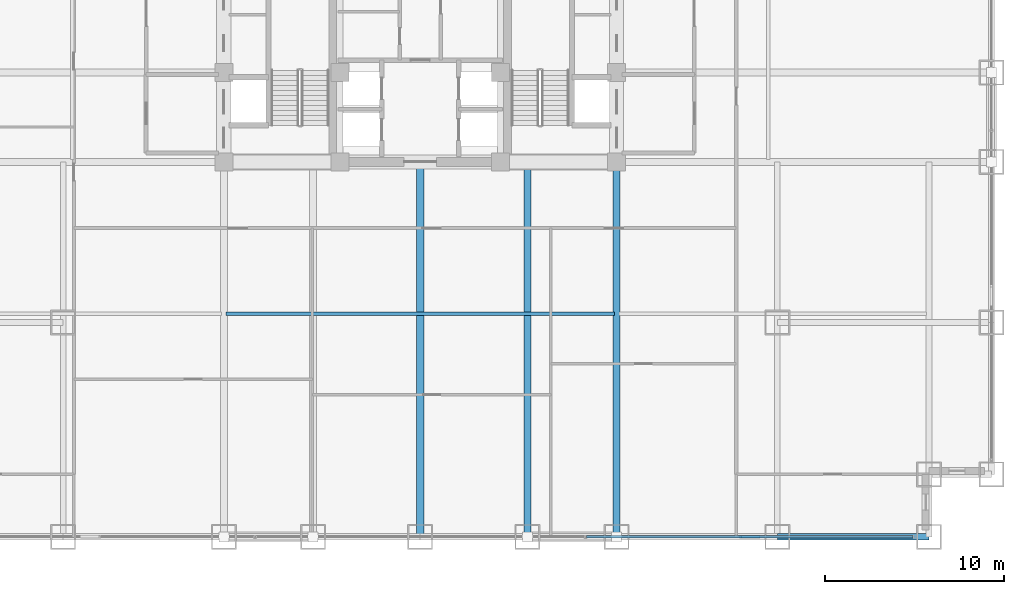
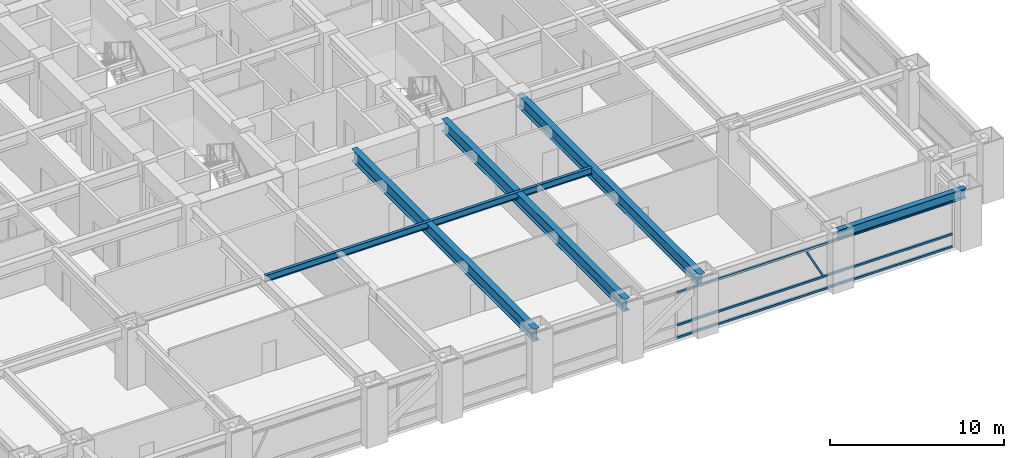
# One storey, part 9 of 28: 5 beams, 4 members, 1 element without a shape of its own.
"""IFC4 building model written with IfcOpenShell, lengths in metres."""

from ifc_helpers import new_model, si_unit, direction, frame, origin, origin_2d, place, context, subcontext, project, spatial, hollow_rectangle, i_section, extrude, source, transform, mapped, material, material_profile, profile_set, type_object, element, aggregate, save


model = new_model("IFC4")

# Units and contexts
model_context = context("Model", 3, precision=1e-05, world=origin(), true_north=direction((0.0, 1.0)))
body_context = subcontext(model_context, "Body", "Model", "MODEL_VIEW")
ifc_project = project(units=[si_unit("LENGTHUNIT", "METRE"), si_unit("AREAUNIT", "SQUARE_METRE"), si_unit("VOLUMEUNIT", "CUBIC_METRE"), si_unit("PLANEANGLEUNIT", "RADIAN"), si_unit("MASSUNIT", "GRAM", prefix="KILO")], contexts=[model_context])

# Site, building, storey
site_placement = place(None, origin())
site = spatial("IfcSite", under=ifc_project, at=site_placement, CompositionType="ELEMENT")
building_placement = place(site_placement, origin())
building = spatial("IfcBuilding", under=site, at=building_placement, Name="Khorayat Bourse Tower", CompositionType="ELEMENT")
storey_placement = place(building_placement, frame((0.0, 0.0, 66.199951171875)))
storey = spatial("IfcBuildingStorey", under=building, at=storey_placement, Name="L14", CompositionType="ELEMENT", Elevation=66.199951171875)

# Beams
ifc_material_1 = material(Name="Steel ASTM A992 Grade 50", Category="steel")
ifc_material_profile_1 = material_profile(ifc_material_1, i_section(OverallWidth=0.35498046875, OverallDepth=0.695068359375, WebThickness=0.015380859375, FlangeThickness=0.02490234375, FilletRadius=0.01806640625, at=origin_2d()), Name="W690X217")
ifc_profile_set_1 = profile_set([ifc_material_profile_1], Name="Steel ASTM A992 Grade 50")
beam_type_1 = type_object("IfcBeamType", Name="BM-SPAN-690", PredefinedType="SPANDREL", material=ifc_profile_set_1)
shared_shape_1 = source(origin(), body_context, "Body", "SweptSolid", [
    extrude(i_section(OverallWidth=0.35498046875, OverallDepth=0.695068359375, WebThickness=0.015380859375, FlangeThickness=0.02490234375, FilletRadius=0.01806640625, at=origin_2d()), origin(), (0.0, 0.0, 1.0), 8.5),
])
beam_1_placement = place(storey_placement, frame((20.0, -32.0, 3.592529296875), z_axis=(1.0, 0.0, 0.0), x_axis=(0.0, 1.0, 0.0)))
element("IfcBeam", 1, at=beam_1_placement, inside=storey, type_object=beam_type_1, Name="L14 BM-SPAN-690 BM-L14-SPN-031", PredefinedType="SPANDREL", context=body_context, shape_type="MappedRepresentation", body=[
    mapped(shared_shape_1, transform((0.0, 0.0, 0.0), scale=1.0)),
])
ifc_material_profile_2 = material_profile(ifc_material_1, i_section(OverallWidth=0.39990234375, OverallDepth=0.85498046875, WebThickness=0.018310546875, FlangeThickness=0.029296875, FilletRadius=0.02001953125, at=origin_2d()), Name="W840X299")
ifc_profile_set_2 = profile_set([ifc_material_profile_2], Name="Steel ASTM A992 Grade 50")
beam_type_2 = type_object("IfcBeamType", Name="BM-GIRD-840", PredefinedType="BEAM", material=ifc_profile_set_2)
shared_shape_2 = source(origin(), body_context, "Body", "SweptSolid", [
    extrude(i_section(OverallWidth=0.39990234375, OverallDepth=0.85498046875, WebThickness=0.018310546875, FlangeThickness=0.029296875, FilletRadius=0.02001953125, at=origin_2d()), origin(), (0.0, 0.0, 1.0), 21.0),
])
for number, where, z_axis, x_axis, name in (
    (2, (0.0, -32.0, 3.512451171875), (0.0, 1.0, 0.0), (-1.0, 0.0, 0.0), "L14 BM-GIRD-840 BM-L14-RADY-069"),
    (3, (6.0, -32.0, 3.512451171875), (0.0, 1.0, 0.0), (-1.0, 0.0, 0.0), "L14 BM-GIRD-840 BM-L14-RADY-071"),
    (4, (11.0, -32.0, 3.512451171875), (0.0, 1.0, 0.0), (-1.0, 0.0, 0.0), "L14 BM-GIRD-840 BM-L14-RADY-073"),
):
    element("IfcBeam", number, at=place(storey_placement, frame(where, z_axis=z_axis, x_axis=x_axis)), inside=storey, type_object=beam_type_2, Name=name, PredefinedType="BEAM", context=body_context, shape_type="MappedRepresentation", body=[
        mapped(shared_shape_2, transform((0.0, 0.0, 0.0), scale=1.0)),
    ])
ifc_material_profile_3 = material_profile(ifc_material_1, i_section(OverallWidth=0.194091796875, OverallDepth=0.468994140625, WebThickness=0.0126953125, FlangeThickness=0.0205078125, FilletRadius=0.012939453125, at=origin_2d()), Name="W460X106")
ifc_profile_set_3 = profile_set([ifc_material_profile_3], Name="Steel ASTM A992 Grade 50")
beam_type_3 = type_object("IfcBeamType", Name="BM-JOIST-460", PredefinedType="JOIST", material=ifc_profile_set_3)
shared_shape_3 = source(origin(), body_context, "Body", "SweptSolid", [
    extrude(i_section(OverallWidth=0.194091796875, OverallDepth=0.468994140625, WebThickness=0.0126953125, FlangeThickness=0.0205078125, FilletRadius=0.012939453125, at=origin_2d()), origin(), (0.0, 0.0, 1.0), 21.740234375),
])
beam_2_placement = place(storey_placement, frame((-10.8701171875, -19.5, 3.70556640625), z_axis=(1.0, 0.0, 0.0), x_axis=(0.0, 1.0, 0.0)))
element("IfcBeam", 5, at=beam_2_placement, inside=storey, type_object=beam_type_3, Name="L14 BM-JOIST-460 BM-L14-JSTX-097", PredefinedType="JOIST", context=body_context, shape_type="MappedRepresentation", body=[
    mapped(shared_shape_3, transform((0.0, 0.0, 0.0), scale=1.0)),
])

# Curtain wall, members
ifc_material_2 = material(Name="Aluminium EN AW-6063 T6", Category="aluminium")
curtain_wall_type = type_object("IfcCurtainWallType", Name="CW-SYS-02", PredefinedType="NOTDEFINED", material=ifc_material_2)
curtain_wall_placement = place(storey_placement, origin())
curtain_wall = element("IfcCurtainWall", 6, at=curtain_wall_placement, inside=storey, type_object=curtain_wall_type, Name="L14 Curtain Wall CW-L14-S1", PredefinedType="NOTDEFINED")
ifc_material_profile_4 = material_profile(ifc_material_2, hollow_rectangle(XDim=0.139892578125, YDim=0.139892578125, WallThickness=0.006103515625, at=origin_2d()), Name="ALU 140x140x6")
ifc_profile_set_4 = profile_set([ifc_material_profile_4], Name="Aluminium EN AW-6063 T6")
member_type_1 = type_object("IfcMemberType", Name="CWT-HORZ-140", PredefinedType="USERDEFINED", material=ifc_profile_set_4)
shared_shape_4 = source(origin(), body_context, "Body", "SweptSolid", [
    extrude(hollow_rectangle(XDim=0.139892578125, YDim=0.139892578125, WallThickness=0.006103515625, at=origin_2d()), origin(), (0.0, 0.0, 1.0), 18.2900390625),
])
member_1_placement = place(storey_placement, frame((9.320068359375, -32.0, 0.070068359375), z_axis=(1.0, 0.0, 0.0), x_axis=(0.0, 1.0, 0.0)))
member_1 = element("IfcMember", 7, at=member_1_placement, type_object=member_type_1, Name="CW-L14-S1 Horizontal Transom 3-1", ObjectType="TRANSOM", PredefinedType="USERDEFINED", context=body_context, shape_type="MappedRepresentation", body=[
    mapped(shared_shape_4, transform((0.0, 0.0, 0.0), scale=1.0)),
])
member_2_placement = place(storey_placement, frame((9.320068359375, -32.0, 0.949951171875), z_axis=(1.0, 0.0, 0.0), x_axis=(0.0, 1.0, 0.0)))
member_2 = element("IfcMember", 8, at=member_2_placement, type_object=member_type_1, Name="CW-L14-S1 Horizontal Transom 3-2", ObjectType="TRANSOM", PredefinedType="USERDEFINED", context=body_context, shape_type="MappedRepresentation", body=[
    mapped(shared_shape_4, transform((0.0, 0.0, 0.0), scale=1.0)),
])
member_3_placement = place(storey_placement, frame((9.320068359375, -32.0, 3.219970703125), z_axis=(1.0, 0.0, 0.0), x_axis=(0.0, 1.0, 0.0)))
member_3 = element("IfcMember", 9, at=member_3_placement, type_object=member_type_1, Name="CW-L14-S1 Horizontal Transom 3-3", ObjectType="TRANSOM", PredefinedType="USERDEFINED", context=body_context, shape_type="MappedRepresentation", body=[
    mapped(shared_shape_4, transform((0.0, 0.0, 0.0), scale=1.0)),
])
ifc_material_profile_5 = material_profile(ifc_material_2, hollow_rectangle(XDim=0.1201171875, YDim=0.1201171875, WallThickness=0.0048828125, at=origin_2d()), Name="ALU 120x120x5")
ifc_profile_set_5 = profile_set([ifc_material_profile_5], Name="Aluminium EN AW-6063 T6")
member_type_2 = type_object("IfcMemberType", Name="CWM-DIAG-120", PredefinedType="MULLION", material=ifc_profile_set_5)
shared_shape_5 = source(origin(), body_context, "Body", "SweptSolid", [
    extrude(hollow_rectangle(XDim=0.1201171875, YDim=0.1201171875, WallThickness=0.0048828125, at=origin_2d()), origin(), (0.0, 0.0, 1.0), 2.22607421875),
])
member_4_placement = place(storey_placement, frame((18.9833984375, -32.0, 1.10009765625), z_axis=(-0.465759992596, 0.0, 0.884911085532), x_axis=(0.0, -1.0, 0.0)))
member_4 = element("IfcMember", 10, at=member_4_placement, type_object=member_type_2, Name="CW-L14-S1 Faceted Diagonal Mullion 3", PredefinedType="MULLION", context=body_context, shape_type="MappedRepresentation", body=[
    mapped(shared_shape_5, transform((0.0, 0.0, 0.0), scale=1.0)),
])
aggregate(curtain_wall, [member_1, member_2, member_3, member_4])

save(model, "model.ifc")
